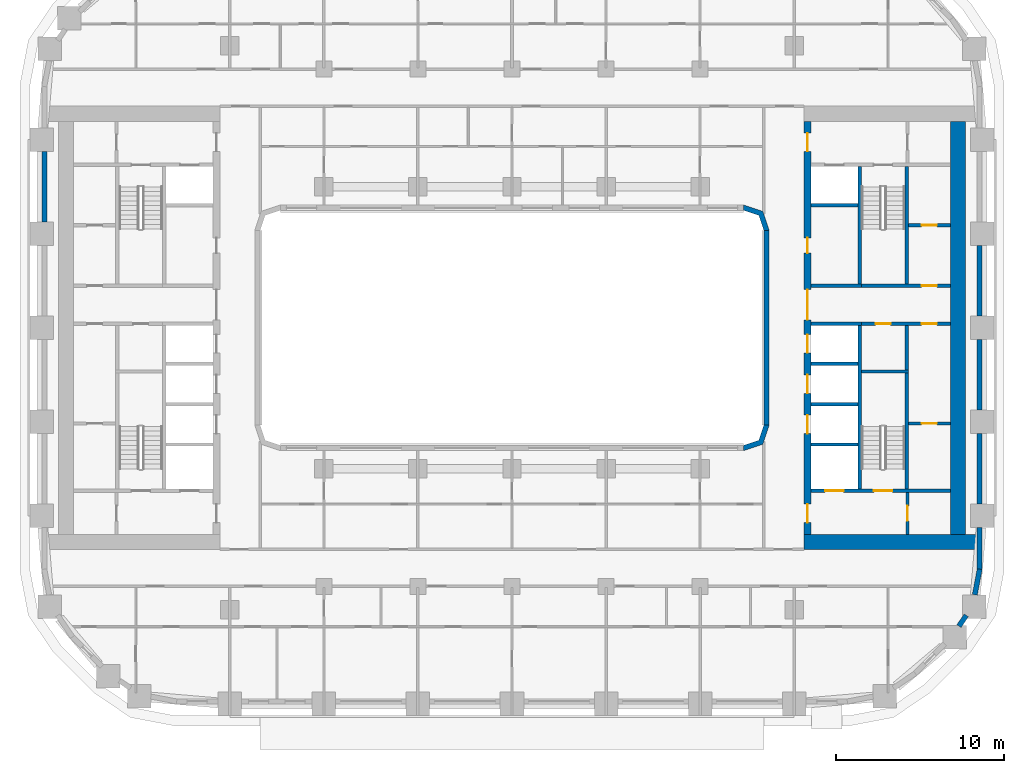
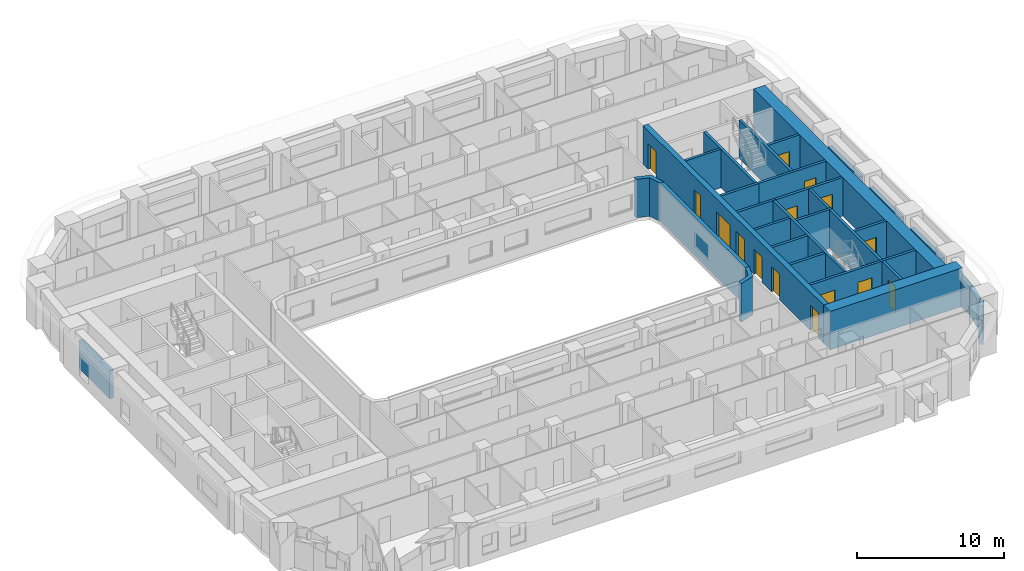
# One storey, part 6 of 22: 31 walls, 15 doors, 15 openings.
"""IFC4 building model written with IfcOpenShell, lengths in metres."""

from ifc_helpers import new_model, si_unit, direction, frame, frame_2d, origin, place, context, subcontext, project, spatial, polyline, rectangle, outline, extrude, material, layer, layer_set, type_object, element, fill, save


model = new_model("IFC4")

# Units and contexts
model_context = context("Model", 3, precision=1e-05, world=origin(), true_north=direction((0.0, 1.0)))
body_context = subcontext(model_context, "Body", "Model", "MODEL_VIEW")
ifc_project = project(units=[si_unit("LENGTHUNIT", "METRE"), si_unit("AREAUNIT", "SQUARE_METRE"), si_unit("VOLUMEUNIT", "CUBIC_METRE"), si_unit("PLANEANGLEUNIT", "RADIAN"), si_unit("MASSUNIT", "GRAM", prefix="KILO")], contexts=[model_context])

# Site, building, storey
site_placement = place(None, origin())
site = spatial("IfcSite", under=ifc_project, at=site_placement, CompositionType="ELEMENT")
building_placement = place(site_placement, origin())
building = spatial("IfcBuilding", under=site, at=building_placement, Name="Kiln Ring Residences", CompositionType="ELEMENT")
storey_placement = place(building_placement, frame((0.0, 0.0, 58.5)))
storey = spatial("IfcBuildingStorey", under=building, at=storey_placement, Name="L14", CompositionType="ELEMENT", Elevation=58.5)

# Wall
ifc_material_1 = material(Name="Gypsum board on steel studs", Category="steel")
ifc_layer_1 = layer(ifc_material_1, 0.199951171875)
ifc_layer_set_1 = layer_set([ifc_layer_1], Name="CORE-PARTITION-200")
wall_type_1 = type_object("IfcWallType", Name="CORE-PARTITION-200", PredefinedType="PARTITIONING", material=ifc_layer_set_1)
wall_1_placement = place(storey_placement, frame((23.5, -2.5, 0.0), z_axis=(0.0, 0.0, 1.0), x_axis=(0.0, 1.0, 0.0)))
element("IfcWall", 1, at=wall_1_placement, inside=storey, type_object=wall_type_1, Name="Core partition east L14 1", PredefinedType="PARTITIONING", context=body_context, shape_type="SweptSolid", body=[
    extrude(rectangle(XDim=2.64990234375, YDim=0.199951171875, at=frame_2d((1.324951171875, 0.0))), origin(), (0.0, 0.0, 1.0), 3.199951171875),
])

# Wall, openings, doors
wall_2_placement = place(storey_placement, frame((20.800048828125, 0.25, 0.0), z_axis=(0.0, 0.0, 1.0), x_axis=(1.0, 0.0, 0.0)))
wall_2 = element("IfcWall", 2, at=wall_2_placement, inside=storey, type_object=wall_type_1, Name="Core partition east L14 2", PredefinedType="PARTITIONING", context=body_context, shape_type="SweptSolid", body=[
    extrude(rectangle(XDim=5.300048828125, YDim=0.199951171875, at=frame_2d((2.64990234375, 0.0))), origin(), (0.0, 0.0, 1.0), 3.199951171875),
])
opening_1_placement = place(wall_2_placement, frame((0.85009765625, 0.0, 0.0)))
opening_1 = element("IfcOpeningElement", 3, at=opening_1_placement, cuts=wall_2, Name="Opening L14-CE14", PredefinedType="OPENING", context=body_context, shape_type="SweptSolid", body=[
    extrude(rectangle(XDim=0.89990234375, YDim=2.10009765625, at=frame_2d((0.449951171875, 1.050048828125))), frame((0.0, 0.10986328125, 0.0), z_axis=(0.0, -1.0, 0.0), x_axis=(1.0, 0.0, 0.0)), (0.0, 0.0, 1.0), 0.219970703125),
])
opening_2_placement = place(wall_2_placement, frame((3.60009765625, 0.0, 0.0)))
opening_2 = element("IfcOpeningElement", 4, at=opening_2_placement, cuts=wall_2, Name="Opening L14-CE16", PredefinedType="OPENING", context=body_context, shape_type="SweptSolid", body=[
    extrude(rectangle(XDim=0.89990234375, YDim=2.10009765625, at=frame_2d((0.449951171875, 1.050048828125))), frame((0.0, 0.10986328125, 0.0), z_axis=(0.0, -1.0, 0.0), x_axis=(1.0, 0.0, 0.0)), (0.0, 0.0, 1.0), 0.219970703125),
])
ifc_material_2 = material(Name="Steel door leaf", Category="steel")
door_type_1 = type_object("IfcDoorType", Name="CORE-DOOR-ROOM", OperationType="SINGLE_SWING_LEFT", PredefinedType="DOOR", material=ifc_material_2)
door_1_placement = place(opening_1_placement, origin())
door_1 = element("IfcDoor", 5, at=door_1_placement, inside=storey, type_object=door_type_1, Name="Housekeeping store L14-CE14", OperationType="SINGLE_SWING_LEFT", OverallHeight=2.10009765625, OverallWidth=0.89990234375, PredefinedType="DOOR", context=body_context, shape_type="SweptSolid", body=[
    extrude(rectangle(XDim=0.89990234375, YDim=2.10009765625, at=frame_2d((0.449951171875, 1.050048828125))), frame((0.0, 0.02490234375, 0.0), z_axis=(0.0, -1.0, 0.0), x_axis=(1.0, 0.0, 0.0)), (0.0, 0.0, 1.0), 0.050048828125),
])
fill(opening_1, door_1)
door_2_placement = place(opening_2_placement, origin())
door_2 = element("IfcDoor", 6, at=door_2_placement, inside=storey, type_object=door_type_1, Name="Battery room L14-CE16", OperationType="SINGLE_SWING_LEFT", OverallHeight=2.10009765625, OverallWidth=0.89990234375, PredefinedType="DOOR", context=body_context, shape_type="SweptSolid", body=[
    extrude(rectangle(XDim=0.89990234375, YDim=2.10009765625, at=frame_2d((0.449951171875, 1.050048828125))), frame((0.0, 0.02490234375, 0.0), z_axis=(0.0, -1.0, 0.0), x_axis=(1.0, 0.0, 0.0)), (0.0, 0.0, 1.0), 0.050048828125),
])
fill(opening_2, door_2)

# Wall, opening, door
wall_3_placement = place(storey_placement, frame((23.550048828125, -12.300048828125, 0.0), z_axis=(0.0, 0.0, 1.0), x_axis=(0.0, 1.0, 0.0)))
wall_3 = element("IfcWall", 7, at=wall_3_placement, inside=storey, type_object=wall_type_1, Name="Core partition east L14 4", PredefinedType="PARTITIONING", context=body_context, shape_type="SweptSolid", body=[
    extrude(rectangle(XDim=2.5, YDim=0.199951171875, at=frame_2d((1.25, 0.0))), origin(), (0.0, 0.0, 1.0), 3.199951171875),
])
opening_3_placement = place(wall_3_placement, frame((0.800048828125, 0.0, 0.0)))
opening_3 = element("IfcOpeningElement", 8, at=opening_3_placement, cuts=wall_3, Name="Opening L14-CE10", PredefinedType="OPENING", context=body_context, shape_type="SweptSolid", body=[
    extrude(rectangle(XDim=0.89990234375, YDim=2.10009765625, at=frame_2d((0.449951171875, 1.050048828125))), frame((0.0, 0.10986328125, 0.0), z_axis=(0.0, -1.0, 0.0), x_axis=(1.0, 0.0, 0.0)), (0.0, 0.0, 1.0), 0.219970703125),
])
door_3_placement = place(opening_3_placement, origin())
door_3 = element("IfcDoor", 9, at=door_3_placement, inside=storey, type_object=door_type_1, Name="Store L14-CE10", OperationType="SINGLE_SWING_LEFT", OverallHeight=2.10009765625, OverallWidth=0.89990234375, PredefinedType="DOOR", context=body_context, shape_type="SweptSolid", body=[
    extrude(rectangle(XDim=0.89990234375, YDim=2.10009765625, at=frame_2d((0.449951171875, 1.050048828125))), frame((0.0, 0.02490234375, 0.0), z_axis=(0.0, -1.0, 0.0), x_axis=(1.0, 0.0, 0.0)), (0.0, 0.0, 1.0), 0.050048828125),
])
fill(opening_3, door_3)

wall_4_placement = place(storey_placement, frame((23.60009765625, -5.699951171875, 0.0), z_axis=(0.0, 0.0, 1.0), x_axis=(1.0, 0.0, 0.0)))
wall_4 = element("IfcWall", 10, at=wall_4_placement, inside=storey, type_object=wall_type_1, Name="Core partition east L14 5", PredefinedType="PARTITIONING", context=body_context, shape_type="SweptSolid", body=[
    extrude(rectangle(XDim=2.5, YDim=0.199951171875, at=frame_2d((1.25, 0.0))), origin(), (0.0, 0.0, 1.0), 3.199951171875),
])
opening_4_placement = place(wall_4_placement, frame((0.800048828125, 0.0, 0.0)))
opening_4 = element("IfcOpeningElement", 11, at=opening_4_placement, cuts=wall_4, Name="Opening L14-CE15", PredefinedType="OPENING", context=body_context, shape_type="SweptSolid", body=[
    extrude(rectangle(XDim=0.89990234375, YDim=2.10009765625, at=frame_2d((0.449951171875, 1.050048828125))), frame((0.0, 0.10986328125, 0.0), z_axis=(0.0, -1.0, 0.0), x_axis=(1.0, 0.0, 0.0)), (0.0, 0.0, 1.0), 0.219970703125),
])
door_4_placement = place(opening_4_placement, origin())
door_4 = element("IfcDoor", 12, at=door_4_placement, inside=storey, type_object=door_type_1, Name="Battery room L14-CE15", OperationType="SINGLE_SWING_LEFT", OverallHeight=2.10009765625, OverallWidth=0.89990234375, PredefinedType="DOOR", context=body_context, shape_type="SweptSolid", body=[
    extrude(rectangle(XDim=0.89990234375, YDim=2.10009765625, at=frame_2d((0.449951171875, 1.050048828125))), frame((0.0, 0.02490234375, 0.0), z_axis=(0.0, -1.0, 0.0), x_axis=(1.0, 0.0, 0.0)), (0.0, 0.0, 1.0), 0.050048828125),
])
fill(opening_4, door_4)

wall_5_placement = place(storey_placement, frame((23.60009765625, 6.10009765625, 0.0), z_axis=(0.0, 0.0, 1.0), x_axis=(1.0, 0.0, 0.0)))
wall_5 = element("IfcWall", 13, at=wall_5_placement, inside=storey, type_object=wall_type_1, Name="Core partition east L14 6", PredefinedType="PARTITIONING", context=body_context, shape_type="SweptSolid", body=[
    extrude(rectangle(XDim=2.5, YDim=0.199951171875, at=frame_2d((1.25, 0.0))), origin(), (0.0, 0.0, 1.0), 3.199951171875),
])
opening_5_placement = place(wall_5_placement, frame((0.800048828125, 0.0, 0.0)))
opening_5 = element("IfcOpeningElement", 14, at=opening_5_placement, cuts=wall_5, Name="Opening L14-CE17", PredefinedType="OPENING", context=body_context, shape_type="SweptSolid", body=[
    extrude(rectangle(XDim=0.89990234375, YDim=2.10009765625, at=frame_2d((0.449951171875, 1.050048828125))), frame((0.0, 0.10986328125, 0.0), z_axis=(0.0, -1.0, 0.0), x_axis=(1.0, 0.0, 0.0)), (0.0, 0.0, 1.0), 0.219970703125),
])
door_5_placement = place(opening_5_placement, origin())
door_5 = element("IfcDoor", 15, at=door_5_placement, inside=storey, type_object=door_type_1, Name="Electrical plant room L14-CE17", OperationType="SINGLE_SWING_LEFT", OverallHeight=2.10009765625, OverallWidth=0.89990234375, PredefinedType="DOOR", context=body_context, shape_type="SweptSolid", body=[
    extrude(rectangle(XDim=0.89990234375, YDim=2.10009765625, at=frame_2d((0.449951171875, 1.050048828125))), frame((0.0, 0.02490234375, 0.0), z_axis=(0.0, -1.0, 0.0), x_axis=(1.0, 0.0, 0.0)), (0.0, 0.0, 1.0), 0.050048828125),
])
fill(opening_5, door_5)

# Walls
ifc_material_3 = material(Name="Gypsum shaft wall system")
ifc_layer_2 = layer(ifc_material_3, 0.199951171875)
ifc_layer_set_2 = layer_set([ifc_layer_2], Name="CORE-SHAFT-WALL-200")
wall_type_2 = type_object("IfcWallType", Name="CORE-SHAFT-WALL-200", PredefinedType="PARTITIONING", material=ifc_layer_set_2)
for number, where, z_axis, x_axis, name in (
    (16, (17.800048828125, -6.949951171875, 0.0), (0.0, 0.0, 1.0), (1.0, 0.0, 0.0), "Core partition east L14 7"),
    (17, (17.800048828125, -4.550048828125, 0.0), (0.0, 0.0, 1.0), (1.0, 0.0, 0.0), "Core partition east L14 8"),
    (18, (17.800048828125, -2.14990234375, 0.0), (0.0, 0.0, 1.0), (1.0, 0.0, 0.0), "Core partition east L14 9"),
):
    element("IfcWall", number, at=place(storey_placement, frame(where, z_axis=z_axis, x_axis=x_axis)), inside=storey, type_object=wall_type_2, Name=name, PredefinedType="PARTITIONING", context=body_context, shape_type="SweptSolid", body=[
        extrude(rectangle(XDim=2.800048828125, YDim=0.199951171875, at=frame_2d((1.39990234375, 0.0))), origin(), (0.0, 0.0, 1.0), 3.199951171875),
    ])
for number, where, z_axis, x_axis, name in (
    (19, (17.800048828125, 0.25, 0.0), (0.0, 0.0, 1.0), (1.0, 0.0, 0.0), "Core partition east L14 10"),
    (20, (17.800048828125, 2.5, 0.0), (0.0, 0.0, 1.0), (1.0, 0.0, 0.0), "Core partition east L14 11"),
):
    element("IfcWall", number, at=place(storey_placement, frame(where, z_axis=z_axis, x_axis=x_axis)), inside=storey, type_object=wall_type_2, Name=name, PredefinedType="PARTITIONING", context=body_context, shape_type="SweptSolid", body=[
        extrude(rectangle(XDim=3.0, YDim=0.199951171875, at=frame_2d((1.5, 0.0))), origin(), (0.0, 0.0, 1.0), 3.199951171875),
    ])
wall_6_placement = place(storey_placement, frame((17.800048828125, 7.300048828125, 0.0), z_axis=(0.0, 0.0, 1.0), x_axis=(1.0, 0.0, 0.0)))
element("IfcWall", 21, at=wall_6_placement, inside=storey, type_object=wall_type_2, Name="Core partition east L14 12", PredefinedType="PARTITIONING", context=body_context, shape_type="SweptSolid", body=[
    extrude(rectangle(XDim=2.800048828125, YDim=0.199951171875, at=frame_2d((1.39990234375, 0.0))), origin(), (0.0, 0.0, 1.0), 3.199951171875),
])
ifc_material_4 = material(Name="Concrete C40/50", Category="concrete")
ifc_layer_3 = layer(ifc_material_4, 0.199951171875)
ifc_layer_set_3 = layer_set([ifc_layer_3], Name="CORE-WALL-RC200")
wall_type_3 = type_object("IfcWallType", Name="CORE-WALL-RC200", PredefinedType="SHEAR", material=ifc_layer_set_3)
wall_7_placement = place(storey_placement, frame((20.699951171875, 2.60009765625, 0.0), z_axis=(0.0, 0.0, 1.0), x_axis=(0.0, 1.0, 0.0)))
element("IfcWall", 22, at=wall_7_placement, inside=storey, type_object=wall_type_3, Name="Core wall east L14 1", PredefinedType="SHEAR", context=body_context, shape_type="SweptSolid", body=[
    extrude(rectangle(XDim=7.0, YDim=0.199951171875, at=frame_2d((3.5, 0.0))), origin(), (0.0, 0.0, 1.0), 3.199951171875),
])
wall_8_placement = place(storey_placement, frame((20.699951171875, -9.60009765625, 0.0), z_axis=(0.0, 0.0, 1.0), x_axis=(0.0, 1.0, 0.0)))
element("IfcWall", 23, at=wall_8_placement, inside=storey, type_object=wall_type_3, Name="Core wall east L14 2", PredefinedType="SHEAR", context=body_context, shape_type="SweptSolid", body=[
    extrude(rectangle(XDim=9.75, YDim=0.199951171875, at=frame_2d((4.875, 0.0))), origin(), (0.0, 0.0, 1.0), 3.199951171875),
])

# Wall, opening, door
wall_9_placement = place(storey_placement, frame((20.800048828125, 2.5, 0.0), z_axis=(0.0, 0.0, 1.0), x_axis=(1.0, 0.0, 0.0)))
wall_9 = element("IfcWall", 24, at=wall_9_placement, inside=storey, type_object=wall_type_3, Name="Core wall east L14 3", PredefinedType="SHEAR", context=body_context, shape_type="SweptSolid", body=[
    extrude(rectangle(XDim=5.300048828125, YDim=0.199951171875, at=frame_2d((2.64990234375, 0.0))), origin(), (0.0, 0.0, 1.0), 3.199951171875),
])
opening_6_placement = place(wall_9_placement, frame((3.60009765625, 0.0, 0.0)))
opening_6 = element("IfcOpeningElement", 25, at=opening_6_placement, cuts=wall_9, Name="Opening L14-CE18", PredefinedType="OPENING", context=body_context, shape_type="SweptSolid", body=[
    extrude(rectangle(XDim=0.89990234375, YDim=2.10009765625, at=frame_2d((0.449951171875, 1.050048828125))), frame((0.0, 0.10986328125, 0.0), z_axis=(0.0, -1.0, 0.0), x_axis=(1.0, 0.0, 0.0)), (0.0, 0.0, 1.0), 0.219970703125),
])
door_6_placement = place(opening_6_placement, origin())
door_6 = element("IfcDoor", 26, at=door_6_placement, inside=storey, type_object=door_type_1, Name="Comms room L14-CE18", OperationType="SINGLE_SWING_RIGHT", OverallHeight=2.10009765625, OverallWidth=0.89990234375, PredefinedType="DOOR", context=body_context, shape_type="SweptSolid", body=[
    extrude(rectangle(XDim=0.89990234375, YDim=2.10009765625, at=frame_2d((0.449951171875, 1.050048828125))), frame((0.0, 0.02490234375, 0.0), z_axis=(0.0, -1.0, 0.0), x_axis=(1.0, 0.0, 0.0)), (0.0, 0.0, 1.0), 0.050048828125),
])
fill(opening_6, door_6)

# Wall, openings, doors
wall_10_placement = place(storey_placement, frame((17.800048828125, -9.699951171875, 0.0), z_axis=(0.0, 0.0, 1.0), x_axis=(1.0, 0.0, 0.0)))
wall_10 = element("IfcWall", 27, at=wall_10_placement, inside=storey, type_object=wall_type_3, Name="Core wall east L14 8", PredefinedType="SHEAR", context=body_context, shape_type="SweptSolid", body=[
    extrude(rectangle(XDim=8.300048828125, YDim=0.199951171875, at=frame_2d((4.14990234375, 0.0))), origin(), (0.0, 0.0, 1.0), 3.199951171875),
])
opening_7_placement = place(wall_10_placement, frame((0.85009765625, 0.0, 0.0)))
opening_7 = element("IfcOpeningElement", 28, at=opening_7_placement, cuts=wall_10, Name="Opening L14-CE01", PredefinedType="OPENING", context=body_context, shape_type="SweptSolid", body=[
    extrude(rectangle(XDim=1.10009765625, YDim=2.10009765625, at=frame_2d((0.550048828125, 1.050048828125))), frame((0.0, 0.10986328125, 0.0), z_axis=(0.0, -1.0, 0.0), x_axis=(1.0, 0.0, 0.0)), (0.0, 0.0, 1.0), 0.219970703125),
])
opening_8_placement = place(wall_10_placement, frame((3.75, 0.0, 0.0)))
opening_8 = element("IfcOpeningElement", 29, at=opening_8_placement, cuts=wall_10, Name="Opening L14-CE12", PredefinedType="OPENING", context=body_context, shape_type="SweptSolid", body=[
    extrude(rectangle(XDim=1.10009765625, YDim=2.10009765625, at=frame_2d((0.550048828125, 1.050048828125))), frame((0.0, 0.10986328125, 0.0), z_axis=(0.0, -1.0, 0.0), x_axis=(1.0, 0.0, 0.0)), (0.0, 0.0, 1.0), 0.219970703125),
])
ifc_material_5 = material(Name="Steel door leaf", Category="steel")
door_type_2 = type_object("IfcDoorType", Name="CORE-DOOR-LD", OperationType="DOUBLE_DOOR_SLIDING", PredefinedType="DOOR", material=ifc_material_5)
door_7_placement = place(opening_7_placement, origin())
door_7 = element("IfcDoor", 30, at=door_7_placement, inside=storey, type_object=door_type_2, Name="LD E-SV L14-CE01", OperationType="DOUBLE_DOOR_SLIDING", OverallHeight=2.10009765625, OverallWidth=1.10009765625, PredefinedType="DOOR", context=body_context, shape_type="SweptSolid", body=[
    extrude(rectangle(XDim=1.10009765625, YDim=2.10009765625, at=frame_2d((0.550048828125, 1.050048828125))), frame((0.0, 0.02490234375, 0.0), z_axis=(0.0, -1.0, 0.0), x_axis=(1.0, 0.0, 0.0)), (0.0, 0.0, 1.0), 0.050048828125),
])
fill(opening_7, door_7)
ifc_material_6 = material(Name="Steel door leaf", Category="steel")
door_type_3 = type_object("IfcDoorType", Name="CORE-DOOR-STAIR", OperationType="SINGLE_SWING_LEFT", PredefinedType="DOOR", material=ifc_material_6)
door_8_placement = place(opening_8_placement, origin())
door_8 = element("IfcDoor", 31, at=door_8_placement, inside=storey, type_object=door_type_3, Name="Stair E-STS L14-CE12", OperationType="SINGLE_SWING_RIGHT", OverallHeight=2.10009765625, OverallWidth=1.10009765625, PredefinedType="DOOR", context=body_context, shape_type="SweptSolid", body=[
    extrude(rectangle(XDim=1.10009765625, YDim=2.10009765625, at=frame_2d((0.550048828125, 1.050048828125))), frame((0.0, 0.02490234375, 0.0), z_axis=(0.0, -1.0, 0.0), x_axis=(1.0, 0.0, 0.0)), (0.0, 0.0, 1.0), 0.050048828125),
])
fill(opening_8, door_8)

# Walls
wall_11_placement = place(storey_placement, frame((23.5, 2.60009765625, 0.0), z_axis=(0.0, 0.0, 1.0), x_axis=(0.0, 1.0, 0.0)))
element("IfcWall", 32, at=wall_11_placement, inside=storey, type_object=wall_type_3, Name="Core wall east L14 10", PredefinedType="SHEAR", context=body_context, shape_type="SweptSolid", body=[
    extrude(rectangle(XDim=7.0, YDim=0.199951171875, at=frame_2d((3.5, 0.0))), origin(), (0.0, 0.0, 1.0), 3.199951171875),
])
wall_12_placement = place(storey_placement, frame((23.5, -9.60009765625, 0.0), z_axis=(0.0, 0.0, 1.0), x_axis=(0.0, 1.0, 0.0)))
element("IfcWall", 33, at=wall_12_placement, inside=storey, type_object=wall_type_3, Name="Core wall east L14 11", PredefinedType="SHEAR", context=body_context, shape_type="SweptSolid", body=[
    extrude(rectangle(XDim=6.900146484375, YDim=0.199951171875, at=frame_2d((3.4501953125, 0.0))), origin(), (0.0, 0.0, 1.0), 3.199951171875),
])
wall_13_placement = place(storey_placement, frame((20.800048828125, -2.60009765625, 0.0), z_axis=(0.0, 0.0, 1.0), x_axis=(1.0, 0.0, 0.0)))
element("IfcWall", 34, at=wall_13_placement, inside=storey, type_object=wall_type_3, Name="Core wall east L14 12", PredefinedType="SHEAR", context=body_context, shape_type="SweptSolid", body=[
    extrude(rectangle(XDim=2.800048828125, YDim=0.199951171875, at=frame_2d((1.39990234375, 0.0))), origin(), (0.0, 0.0, 1.0), 3.199951171875),
])

# Wall, openings, doors
ifc_material_7 = material(Name="Concrete C60/75", Category="concrete")
ifc_layer_4 = layer(ifc_material_7, 0.39990234375)
ifc_layer_set_4 = layer_set([ifc_layer_4], Name="CORE-WALL-RC400")
wall_type_4 = type_object("IfcWallType", Name="CORE-WALL-RC400", PredefinedType="SHEAR", material=ifc_layer_set_4)
wall_14_placement = place(storey_placement, frame((17.60009765625, -12.300048828125, 0.0), z_axis=(0.0, 0.0, 1.0), x_axis=(0.0, 1.0, 0.0)))
wall_14 = element("IfcWall", 35, at=wall_14_placement, inside=storey, type_object=wall_type_4, Name="Core wall east L14 6", PredefinedType="SHEAR", context=body_context, shape_type="SweptSolid", body=[
    extrude(rectangle(XDim=24.60009765625, YDim=0.39990234375, at=frame_2d((12.300048828125, 0.0))), origin(), (0.0, 0.0, 1.0), 3.199951171875),
])
opening_9_placement = place(wall_14_placement, frame((6.0, 0.0, 0.0)))
opening_9 = element("IfcOpeningElement", 36, at=opening_9_placement, cuts=wall_14, Name="Opening L14-CE02", PredefinedType="OPENING", context=body_context, shape_type="SweptSolid", body=[
    extrude(rectangle(XDim=1.10009765625, YDim=2.10009765625, at=frame_2d((0.550048828125, 1.050048828125))), frame((0.0, 0.2099609375, 0.0), z_axis=(0.0, -1.0, 0.0), x_axis=(1.0, 0.0, 0.0)), (0.0, 0.0, 1.0), 0.419921875),
])
opening_10_placement = place(wall_14_placement, frame((8.39990234375, 0.0, 0.0)))
opening_10 = element("IfcOpeningElement", 37, at=opening_10_placement, cuts=wall_14, Name="Opening L14-CE03", PredefinedType="OPENING", context=body_context, shape_type="SweptSolid", body=[
    extrude(rectangle(XDim=1.10009765625, YDim=2.10009765625, at=frame_2d((0.550048828125, 1.050048828125))), frame((0.0, 0.2099609375, 0.0), z_axis=(0.0, -1.0, 0.0), x_axis=(1.0, 0.0, 0.0)), (0.0, 0.0, 1.0), 0.419921875),
])
opening_11_placement = place(wall_14_placement, frame((10.800048828125, 0.0, 0.0)))
opening_11 = element("IfcOpeningElement", 38, at=opening_11_placement, cuts=wall_14, Name="Opening L14-CE04", PredefinedType="OPENING", context=body_context, shape_type="SweptSolid", body=[
    extrude(rectangle(XDim=1.10009765625, YDim=2.10009765625, at=frame_2d((0.550048828125, 1.050048828125))), frame((0.0, 0.2099609375, 0.0), z_axis=(0.0, -1.0, 0.0), x_axis=(1.0, 0.0, 0.0)), (0.0, 0.0, 1.0), 0.419921875),
])
opening_12_placement = place(wall_14_placement, frame((16.75, 0.0, 0.0)))
opening_12 = element("IfcOpeningElement", 39, at=opening_12_placement, cuts=wall_14, Name="Opening L14-CE05", PredefinedType="OPENING", context=body_context, shape_type="SweptSolid", body=[
    extrude(rectangle(XDim=0.89990234375, YDim=2.10009765625, at=frame_2d((0.449951171875, 1.050048828125))), frame((0.0, 0.2099609375, 0.0), z_axis=(0.0, -1.0, 0.0), x_axis=(1.0, 0.0, 0.0)), (0.0, 0.0, 1.0), 0.419921875),
])
opening_13_placement = place(wall_14_placement, frame((22.800048828125, 0.0, 0.0)))
opening_13 = element("IfcOpeningElement", 40, at=opening_13_placement, cuts=wall_14, Name="Opening L14-CE07", PredefinedType="OPENING", context=body_context, shape_type="SweptSolid", body=[
    extrude(rectangle(XDim=1.10009765625, YDim=2.10009765625, at=frame_2d((0.550048828125, 1.050048828125))), frame((0.0, 0.2099609375, 0.0), z_axis=(0.0, -1.0, 0.0), x_axis=(1.0, 0.0, 0.0)), (0.0, 0.0, 1.0), 0.419921875),
])
opening_14_placement = place(wall_14_placement, frame((0.699951171875, 0.0, 0.0)))
opening_14 = element("IfcOpeningElement", 41, at=opening_14_placement, cuts=wall_14, Name="Opening L14-CE08", PredefinedType="OPENING", context=body_context, shape_type="SweptSolid", body=[
    extrude(rectangle(XDim=1.10009765625, YDim=2.10009765625, at=frame_2d((0.550048828125, 1.050048828125))), frame((0.0, 0.2099609375, 0.0), z_axis=(0.0, -1.0, 0.0), x_axis=(1.0, 0.0, 0.0)), (0.0, 0.0, 1.0), 0.419921875),
])
opening_15_placement = place(wall_14_placement, frame((12.77490234375, 0.0, 0.0)))
opening_15 = element("IfcOpeningElement", 42, at=opening_15_placement, cuts=wall_14, Name="Opening L14-CE13", PredefinedType="OPENING", context=body_context, shape_type="SweptSolid", body=[
    extrude(rectangle(XDim=1.800048828125, YDim=2.10009765625, at=frame_2d((0.89990234375, 1.050048828125))), frame((0.0, 0.2099609375, 0.0), z_axis=(0.0, -1.0, 0.0), x_axis=(1.0, 0.0, 0.0)), (0.0, 0.0, 1.0), 0.419921875),
])
door_9_placement = place(opening_9_placement, origin())
door_9 = element("IfcDoor", 43, at=door_9_placement, inside=storey, type_object=door_type_2, Name="LD E-L1 L14-CE02", OperationType="DOUBLE_DOOR_SLIDING", OverallHeight=2.10009765625, OverallWidth=1.10009765625, PredefinedType="DOOR", context=body_context, shape_type="SweptSolid", body=[
    extrude(rectangle(XDim=1.10009765625, YDim=2.10009765625, at=frame_2d((0.550048828125, 1.050048828125))), frame((0.0, 0.02490234375, 0.0), z_axis=(0.0, -1.0, 0.0), x_axis=(1.0, 0.0, 0.0)), (0.0, 0.0, 1.0), 0.050048828125),
])
fill(opening_9, door_9)
door_10_placement = place(opening_10_placement, origin())
door_10 = element("IfcDoor", 44, at=door_10_placement, inside=storey, type_object=door_type_2, Name="LD E-L2 L14-CE03", OperationType="DOUBLE_DOOR_SLIDING", OverallHeight=2.10009765625, OverallWidth=1.10009765625, PredefinedType="DOOR", context=body_context, shape_type="SweptSolid", body=[
    extrude(rectangle(XDim=1.10009765625, YDim=2.10009765625, at=frame_2d((0.550048828125, 1.050048828125))), frame((0.0, 0.02490234375, 0.0), z_axis=(0.0, -1.0, 0.0), x_axis=(1.0, 0.0, 0.0)), (0.0, 0.0, 1.0), 0.050048828125),
])
fill(opening_10, door_10)
door_11_placement = place(opening_11_placement, origin())
door_11 = element("IfcDoor", 45, at=door_11_placement, inside=storey, type_object=door_type_2, Name="LD E-L3 L14-CE04", OperationType="DOUBLE_DOOR_SLIDING", OverallHeight=2.10009765625, OverallWidth=1.10009765625, PredefinedType="DOOR", context=body_context, shape_type="SweptSolid", body=[
    extrude(rectangle(XDim=1.10009765625, YDim=2.10009765625, at=frame_2d((0.550048828125, 1.050048828125))), frame((0.0, 0.02490234375, 0.0), z_axis=(0.0, -1.0, 0.0), x_axis=(1.0, 0.0, 0.0)), (0.0, 0.0, 1.0), 0.050048828125),
])
fill(opening_11, door_11)
ifc_material_8 = material(Name="Steel door leaf", Category="steel")
door_type_4 = type_object("IfcDoorType", Name="CORE-DOOR-LOBBY", OperationType="SINGLE_SWING_LEFT", PredefinedType="DOOR", material=ifc_material_8)
door_12_placement = place(opening_13_placement, origin())
door_12 = element("IfcDoor", 46, at=door_12_placement, inside=storey, type_object=door_type_4, Name="FFL L14-CE07", OperationType="SINGLE_SWING_LEFT", OverallHeight=2.10009765625, OverallWidth=1.10009765625, PredefinedType="DOOR", context=body_context, shape_type="SweptSolid", body=[
    extrude(rectangle(XDim=1.10009765625, YDim=2.10009765625, at=frame_2d((0.550048828125, 1.050048828125))), frame((0.0, 0.02490234375, 0.0), z_axis=(0.0, -1.0, 0.0), x_axis=(1.0, 0.0, 0.0)), (0.0, 0.0, 1.0), 0.050048828125),
])
fill(opening_13, door_12)
door_13_placement = place(opening_14_placement, origin())
door_13 = element("IfcDoor", 47, at=door_13_placement, inside=storey, type_object=door_type_4, Name="SVL L14-CE08", OperationType="SINGLE_SWING_RIGHT", OverallHeight=2.10009765625, OverallWidth=1.10009765625, PredefinedType="DOOR", context=body_context, shape_type="SweptSolid", body=[
    extrude(rectangle(XDim=1.10009765625, YDim=2.10009765625, at=frame_2d((0.550048828125, 1.050048828125))), frame((0.0, 0.02490234375, 0.0), z_axis=(0.0, -1.0, 0.0), x_axis=(1.0, 0.0, 0.0)), (0.0, 0.0, 1.0), 0.050048828125),
])
fill(opening_14, door_13)
ifc_material_9 = material(Name="Steel door leaf", Category="steel")
door_type_5 = type_object("IfcDoorType", Name="CORE-DOOR-PASS", OperationType="DOUBLE_DOOR_SINGLE_SWING", PredefinedType="DOOR", material=ifc_material_9)
door_14_placement = place(opening_15_placement, origin())
door_14 = element("IfcDoor", 48, at=door_14_placement, inside=storey, type_object=door_type_5, Name="Core passage L14-CE13", OperationType="DOUBLE_DOOR_SINGLE_SWING", OverallHeight=2.10009765625, OverallWidth=1.800048828125, PredefinedType="DOOR", context=body_context, shape_type="SweptSolid", body=[
    extrude(rectangle(XDim=1.800048828125, YDim=2.10009765625, at=frame_2d((0.89990234375, 1.050048828125))), frame((0.0, 0.02490234375, 0.0), z_axis=(0.0, -1.0, 0.0), x_axis=(1.0, 0.0, 0.0)), (0.0, 0.0, 1.0), 0.050048828125),
])
fill(opening_15, door_14)
door_15_placement = place(opening_12_placement, origin())
door_15 = element("IfcDoor", 49, at=door_15_placement, inside=storey, type_object=door_type_1, Name="Locker store L14-CE05", OperationType="SINGLE_SWING_RIGHT", OverallHeight=2.10009765625, OverallWidth=0.89990234375, PredefinedType="DOOR", context=body_context, shape_type="SweptSolid", body=[
    extrude(rectangle(XDim=0.89990234375, YDim=2.10009765625, at=frame_2d((0.449951171875, 1.050048828125))), frame((0.0, 0.02490234375, 0.0), z_axis=(0.0, -1.0, 0.0), x_axis=(1.0, 0.0, 0.0)), (0.0, 0.0, 1.0), 0.050048828125),
])
fill(opening_12, door_15)

# Walls
ifc_material_10 = material(Name="Concrete C60/75", Category="concrete")
ifc_layer_5 = layer(ifc_material_10, 0.89990234375)
ifc_layer_set_5 = layer_set([ifc_layer_5], Name="CORE-WALL-RC900")
wall_type_5 = type_object("IfcWallType", Name="CORE-WALL-RC900", PredefinedType="SHEAR", material=ifc_layer_set_5)
wall_15_placement = place(storey_placement, frame((17.39990234375, -12.75, 0.0), z_axis=(0.0, 0.0, 1.0), x_axis=(1.0, 0.0, 0.0)))
element("IfcWall", 50, at=wall_15_placement, inside=storey, type_object=wall_type_5, Name="Core wall east L14 5", PredefinedType="SHEAR", context=body_context, shape_type="SweptSolid", body=[
    extrude(rectangle(XDim=10.400146484375, YDim=0.89990234375, at=frame_2d((5.2001953125, 0.0))), origin(), (0.0, 0.0, 1.0), 3.199951171875),
])
wall_16_placement = place(storey_placement, frame((26.550048828125, -12.300048828125, 0.0), z_axis=(0.0, 0.0, 1.0), x_axis=(0.0, 1.0, 0.0)))
element("IfcWall", 51, at=wall_16_placement, inside=storey, type_object=wall_type_5, Name="Core wall east L14 7", PredefinedType="SHEAR", context=body_context, shape_type="SweptSolid", body=[
    extrude(rectangle(XDim=24.60009765625, YDim=0.89990234375, at=frame_2d((12.300048828125, 0.0))), origin(), (0.0, 0.0, 1.0), 3.199951171875),
])
ifc_material_11 = material(Name="Brick masonry, dark clay brick", Category="masonry")
ifc_layer_6 = layer(ifc_material_11, 0.300048828125)
ifc_layer_set_6 = layer_set([ifc_layer_6], Name="EW-300 BRICK WALL")
wall_type_6 = type_object("IfcWallType", Name="EW-300 BRICK WALL", PredefinedType="SOLIDWALL", material=ifc_layer_set_6)
wall_17_placement = place(storey_placement, frame((26.61669921875, -17.7685546875, 0.0), z_axis=(0.0, 0.0, 1.0), x_axis=(0.562000651531, 0.827136788977, 0.0)))
element("IfcWall", 52, at=wall_17_placement, inside=storey, type_object=wall_type_6, Name="Facade wall L14 15", PredefinedType="SOLIDWALL", context=body_context, shape_type="SweptSolid", body=[
    extrude(rectangle(XDim=0.777099609375, YDim=0.300048828125, at=frame_2d((0.388671875, 0.0))), origin(), (0.0, 0.0, 1.0), 3.199951171875),
])
wall_18_placement = place(storey_placement, frame((27.56103515625, -15.900390625, 0.0), z_axis=(0.0, 0.0, 1.0), x_axis=(0.187328386968, 0.982297345734, 0.0)))
element("IfcWall", 53, at=wall_18_placement, inside=storey, type_object=wall_type_6, Name="Facade wall L14 16", PredefinedType="SOLIDWALL", context=body_context, shape_type="SweptSolid", body=[
    extrude(rectangle(XDim=1.55615234375, YDim=0.300048828125, at=frame_2d((0.778076171875, 0.0))), origin(), (0.0, 0.0, 1.0), 2.35009765625),
])
wall_19_placement = place(storey_placement, frame((27.85009765625, -14.39990234375, 0.0), z_axis=(0.0, 0.0, 1.0), x_axis=(0.0, 1.0, 0.0)))
element("IfcWall", 54, at=wall_19_placement, inside=storey, type_object=wall_type_6, Name="Facade wall L14 17", PredefinedType="SOLIDWALL", context=body_context, shape_type="SweptSolid", body=[
    extrude(rectangle(XDim=2.5, YDim=0.300048828125, at=frame_2d((1.25, 0.0))), origin(), (0.0, 0.0, 1.0), 2.35009765625),
])
for number, where, z_axis, x_axis, name in (
    (55, (27.85009765625, -10.5, 0.0), (0.0, 0.0, 1.0), (0.0, 1.0, 0.0), "Facade wall L14 18"),
    (56, (27.85009765625, -4.89990234375, 0.0), (0.0, 0.0, 1.0), (0.0, 1.0, 0.0), "Facade wall L14 19"),
    (57, (27.85009765625, 0.699951171875, 0.0), (0.0, 0.0, 1.0), (0.0, 1.0, 0.0), "Facade wall L14 20"),
    (58, (-27.85009765625, 10.5, 0.0), (0.0, 0.0, 1.0), (0.0, -1.0, 0.0), "Facade wall L14 42"),
):
    element("IfcWall", number, at=place(storey_placement, frame(where, z_axis=z_axis, x_axis=x_axis)), inside=storey, type_object=wall_type_6, Name=name, PredefinedType="SOLIDWALL", context=body_context, shape_type="SweptSolid", body=[
        extrude(rectangle(XDim=4.199951171875, YDim=0.300048828125, at=frame_2d((2.10009765625, 0.0))), origin(), (0.0, 0.0, 1.0), 2.35009765625),
    ])
wall_20_placement = place(storey_placement, frame((15.14990234375, 5.800048828125, 0.0), z_axis=(0.0, 0.0, 1.0), x_axis=(0.0, -1.0, 0.0)))
element("IfcWall", 59, at=wall_20_placement, inside=storey, type_object=wall_type_6, Name="Facade wall L14 51", PredefinedType="SOLIDWALL", context=body_context, shape_type="SweptSolid", body=[
    extrude(rectangle(XDim=11.60009765625, YDim=0.300048828125, at=frame_2d((5.800048828125, 0.0))), origin(), (0.0, 0.0, 1.0), 3.199951171875),
])
placement = place(storey_placement, origin())
element("IfcWall", 60, at=placement, inside=storey, type_object=wall_type_6, Name="Corner wall L14 2", PredefinedType="SOLIDWALL", context=body_context, shape_type="SweptSolid", body=[
    extrude(outline(polyline([(14.937255859375, 6.937255859375), (13.8486328125, 7.300048828125), (13.800048828125, 7.300048828125), (13.800048828125, 7.0), (14.699951171875, 6.699951171875), (15.0, 5.800048828125), (15.300048828125, 5.800048828125), (15.300048828125, 5.8486328125), (14.937255859375, 6.937255859375)])), origin(), (0.0, 0.0, 1.0), 3.199951171875),
])
element("IfcWall", 61, at=placement, inside=storey, type_object=wall_type_6, Name="Corner wall L14 3", PredefinedType="SOLIDWALL", context=body_context, shape_type="SweptSolid", body=[
    extrude(outline(polyline([(14.937255859375, -6.937255859375), (15.300048828125, -5.8486328125), (15.300048828125, -5.800048828125), (15.0, -5.800048828125), (14.699951171875, -6.699951171875), (13.800048828125, -7.0), (13.800048828125, -7.300048828125), (13.8486328125, -7.300048828125), (14.937255859375, -6.937255859375)])), origin(), (0.0, 0.0, 1.0), 3.199951171875),
])

save(model, "model.ifc")
